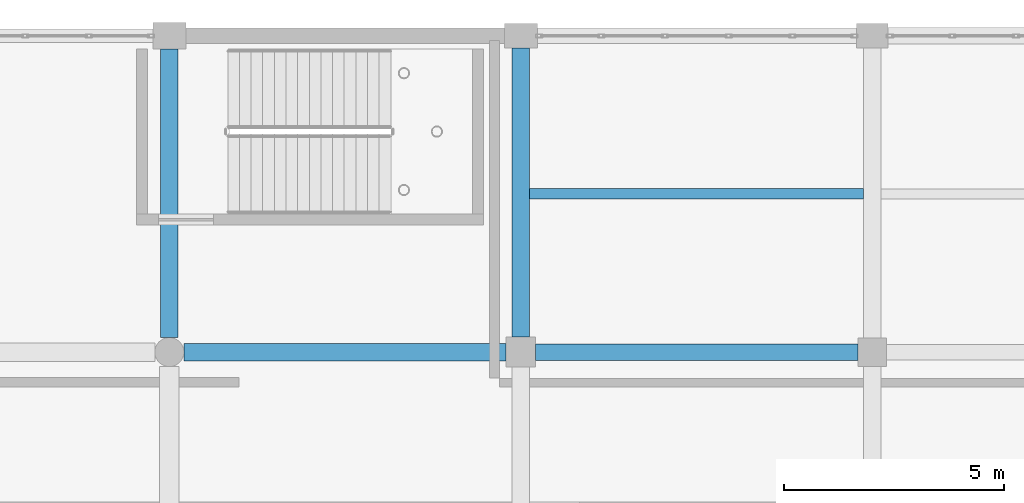
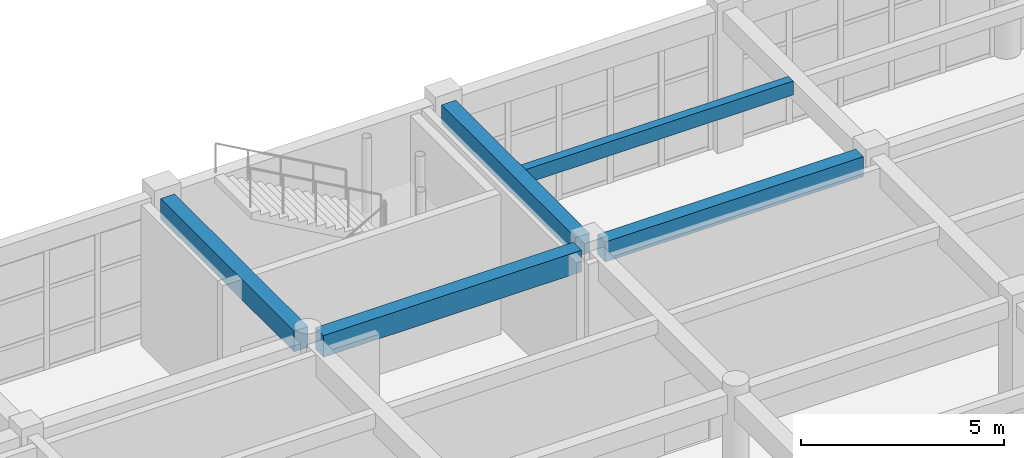
# One storey, part 103 of 160: 5 beams.
"""IFC4 building model written with IfcOpenShell, lengths in metres."""

from ifc_helpers import new_model, si_unit, direction, frame, origin, origin_2d, place, context, subcontext, project, spatial, rectangle, extrude, material, material_profile, profile_set, type_object, element, save


model = new_model("IFC4")

# Units and contexts
model_context = context("Model", 3, precision=1e-05, world=origin(), true_north=direction((0.0, 1.0)))
body_context = subcontext(model_context, "Body", "Model", "MODEL_VIEW")
ifc_project = project(units=[si_unit("LENGTHUNIT", "METRE"), si_unit("AREAUNIT", "SQUARE_METRE"), si_unit("VOLUMEUNIT", "CUBIC_METRE"), si_unit("PLANEANGLEUNIT", "RADIAN"), si_unit("MASSUNIT", "GRAM", prefix="KILO")], contexts=[model_context])

# Site, building, storey
site_placement = place(None, origin())
site = spatial("IfcSite", under=ifc_project, at=site_placement, CompositionType="ELEMENT")
building_placement = place(site_placement, origin())
building = spatial("IfcBuilding", under=site, at=building_placement, Name="Kharva Crest Polytechnic", CompositionType="ELEMENT")
storey_placement = place(building_placement, frame((0.0, 0.0, 4.5)))
storey = spatial("IfcBuildingStorey", under=building, at=storey_placement, Name="L01", CompositionType="ELEMENT", Elevation=4.5)

# Beams
ifc_material = material(Name="Concrete C35/45", Category="concrete")
ifc_material_profile_1 = material_profile(ifc_material, rectangle(XDim=0.3798828125, YDim=0.60009765625, at=origin_2d()), Name="RECT 380 X 600")
ifc_profile_set_1 = profile_set([ifc_material_profile_1], Name="Concrete C35/45")
beam_type_1 = type_object("IfcBeamType", Name="BM-RC-380X600", PredefinedType="BEAM", material=ifc_profile_set_1)
beam_1_placement = place(storey_placement, frame((153.139892578125, 114.800048828125, 3.919921875), z_axis=(1.0, 0.0, 0.0), x_axis=(0.0, 1.0, 0.0)))
element("IfcBeam", 1, at=beam_1_placement, inside=storey, type_object=beam_type_1, Name="L01 Beam R/20-21", PredefinedType="BEAM", context=body_context, shape_type="SweptSolid", body=[
    extrude(rectangle(XDim=0.3798828125, YDim=0.60009765625, at=origin_2d()), origin(), (0.0, 0.0, 1.0), 7.335205078125),
])
ifc_material_profile_2 = material_profile(ifc_material, rectangle(XDim=0.39990234375, YDim=0.580078125, at=origin_2d()), Name="RECT 400 X 580")
ifc_profile_set_2 = profile_set([ifc_material_profile_2], Name="Concrete C35/45")
beam_type_2 = type_object("IfcBeamType", Name="BM-RC-400X580", PredefinedType="BEAM", material=ifc_profile_set_2)
beam_2_placement = place(storey_placement, frame((152.800048828125, 115.139892578125, 3.929931640625), z_axis=(0.0, 1.0, 0.0), x_axis=(-1.0, 0.0, 0.0)))
element("IfcBeam", 2, at=beam_2_placement, inside=storey, type_object=beam_type_2, Name="L01 Girder 20/R-S", PredefinedType="BEAM", context=body_context, shape_type="SweptSolid", body=[
    extrude(rectangle(XDim=0.39990234375, YDim=0.580078125, at=origin_2d()), origin(), (0.0, 0.0, 1.0), 6.585205078125),
])
ifc_material_profile_3 = material_profile(ifc_material, rectangle(XDim=0.39990234375, YDim=0.6201171875, at=origin_2d()), Name="RECT 400 X 620")
ifc_profile_set_3 = profile_set([ifc_material_profile_3], Name="Concrete C35/45")
beam_type_3 = type_object("IfcBeamType", Name="BM-RC-400X620", PredefinedType="BEAM", material=ifc_profile_set_3)
beam_3_placement = place(storey_placement, frame((144.800048828125, 115.1298828125, 3.909912109375), z_axis=(0.0, 1.0, 0.0), x_axis=(-1.0, 0.0, 0.0)))
element("IfcBeam", 3, at=beam_3_placement, inside=storey, type_object=beam_type_3, Name="L01 Girder 19/R-S", PredefinedType="BEAM", context=body_context, shape_type="SweptSolid", body=[
    extrude(rectangle(XDim=0.39990234375, YDim=0.6201171875, at=origin_2d()), origin(), (0.0, 0.0, 1.0), 6.570068359375),
])
ifc_material_profile_4 = material_profile(ifc_material, rectangle(XDim=0.39990234375, YDim=0.64990234375, at=origin_2d()), Name="RECT 400 X 650")
ifc_profile_set_4 = profile_set([ifc_material_profile_4], Name="Concrete C35/45")
beam_type_4 = type_object("IfcBeamType", Name="BM-RC-400X650", PredefinedType="BEAM", material=ifc_profile_set_4)
beam_4_placement = place(storey_placement, frame((145.1298828125, 114.800048828125, 3.89501953125), z_axis=(1.0, 0.0, 0.0), x_axis=(0.0, 1.0, 0.0)))
element("IfcBeam", 4, at=beam_4_placement, inside=storey, type_object=beam_type_4, Name="L01 Beam R/19-20", PredefinedType="BEAM", context=body_context, shape_type="SweptSolid", body=[
    extrude(rectangle(XDim=0.39990234375, YDim=0.64990234375, at=origin_2d()), origin(), (0.0, 0.0, 1.0), 7.330078125),
])
ifc_material_profile_5 = material_profile(ifc_material, rectangle(XDim=0.239990234375, YDim=0.419921875, at=origin_2d()), Name="RECT 240 X 420")
ifc_profile_set_5 = profile_set([ifc_material_profile_5], Name="Concrete C35/45")
beam_type_5 = type_object("IfcBeamType", Name="JS-RC-240X420", PredefinedType="JOIST", material=ifc_profile_set_5)
beam_5_placement = place(storey_placement, frame((153.0, 118.39990234375, 4.010009765625), z_axis=(1.0, 0.0, 0.0), x_axis=(0.0, 1.0, 0.0)))
element("IfcBeam", 5, at=beam_5_placement, inside=storey, type_object=beam_type_5, Name="L01 Floor Joist 52", PredefinedType="JOIST", context=body_context, shape_type="SweptSolid", body=[
    extrude(rectangle(XDim=0.239990234375, YDim=0.419921875, at=origin_2d()), origin(), (0.0, 0.0, 1.0), 7.60009765625),
])

save(model, "model.ifc")
